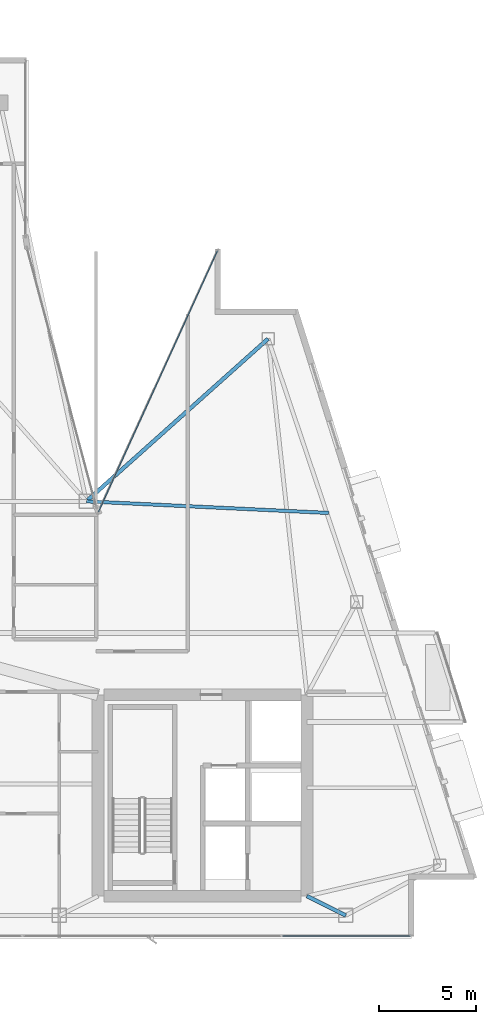
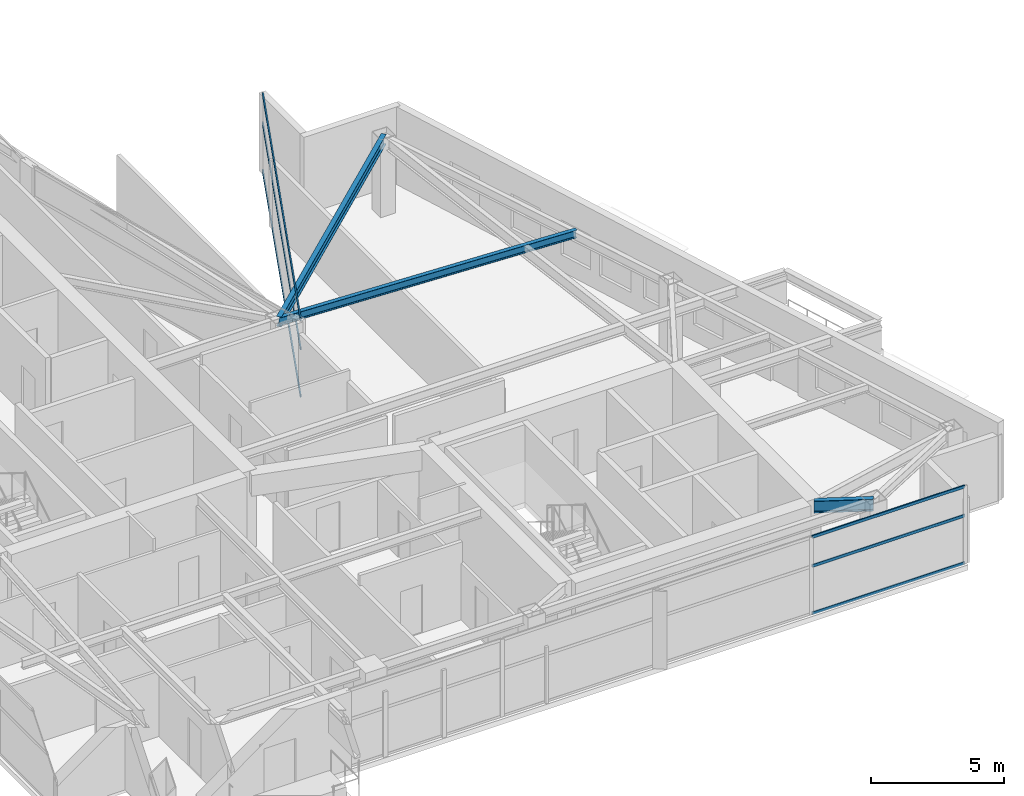
# One storey, part 13 of 27: 6 members, 3 beams, 2 elements without a shape of their own.
"""IFC4 building model written with IfcOpenShell, lengths in metres."""

from ifc_helpers import new_model, si_unit, direction, frame, origin, origin_2d, place, context, subcontext, project, spatial, hollow_rectangle, i_section, extrude, material, layer, layer_set, material_profile, profile_set, type_object, element, aggregate, save


model = new_model("IFC4")

# Units and contexts
model_context = context("Model", 3, precision=1e-05, world=origin(), true_north=direction((0.0, 1.0)))
body_context = subcontext(model_context, "Body", "Model", "MODEL_VIEW")
ifc_project = project(units=[si_unit("LENGTHUNIT", "METRE"), si_unit("AREAUNIT", "SQUARE_METRE"), si_unit("VOLUMEUNIT", "CUBIC_METRE"), si_unit("PLANEANGLEUNIT", "RADIAN"), si_unit("MASSUNIT", "GRAM", prefix="KILO")], contexts=[model_context])

# Site, building, storey
site_placement = place(None, origin())
site = spatial("IfcSite", under=ifc_project, at=site_placement, CompositionType="ELEMENT")
building_placement = place(site_placement, origin())
building = spatial("IfcBuilding", under=site, at=building_placement, Name="Calvorn Quay Hotel", CompositionType="ELEMENT")
storey_placement = place(building_placement, frame((0.0, 0.0, 294.89990234375)))
storey = spatial("IfcBuildingStorey", under=building, at=storey_placement, Name="L73", CompositionType="ELEMENT", Elevation=294.89990234375)

# Beams
ifc_material_1 = material(Name="Steel Q355B", Category="steel")
ifc_material_profile_1 = material_profile(ifc_material_1, i_section(OverallWidth=0.199951171875, OverallDepth=0.550048828125, WebThickness=0.010009765625, FlangeThickness=0.01611328125, FilletRadius=0.01806640625, at=origin_2d()), Name="HN550x200x10x16")
ifc_profile_set_1 = profile_set([ifc_material_profile_1], Name="Steel Q355B")
beam_type_1 = type_object("IfcBeamType", Name="BM-GIRD-UPP", PredefinedType="BEAM", material=ifc_profile_set_1)
beam_1_placement = place(storey_placement, frame((34.39990234375, 3.60009765625, 3.26513671875), z_axis=(-0.894427191, 0.4472135955, 0.0), x_axis=(-0.4472135955, -0.894427191, 0.0)))
element("IfcBeam", 1, at=beam_1_placement, inside=storey, type_object=beam_type_1, Name="Beam BG-L73-S3", PredefinedType="BEAM", context=body_context, shape_type="SweptSolid", body=[
    extrude(i_section(OverallWidth=0.199951171875, OverallDepth=0.550048828125, WebThickness=0.010009765625, FlangeThickness=0.01611328125, FilletRadius=0.01806640625, at=origin_2d()), origin(), (0.0, 0.0, 1.0), 2.236083984375),
])
ifc_material_2 = material(Name="Steel Q355B", Category="steel")
ifc_material_profile_2 = material_profile(ifc_material_2, i_section(OverallWidth=0.175048828125, OverallDepth=0.35009765625, WebThickness=0.007080078125, FlangeThickness=0.010986328125, FilletRadius=0.013916015625, at=origin_2d()), Name="HN350x175x7x11")
ifc_profile_set_2 = profile_set([ifc_material_profile_2], Name="Steel Q355B")
beam_type_2 = type_object("IfcBeamType", Name="BM-JOIST-SEC", PredefinedType="JOIST", material=ifc_profile_set_2)
beam_2_placement = place(storey_placement, frame((21.0, 25.0, 3.364990234375), z_axis=(0.998854576396, -0.047849087891, 0.0), x_axis=(0.047849087891, 0.998854576396, 0.0)))
element("IfcBeam", 2, at=beam_2_placement, inside=storey, type_object=beam_type_2, Name="Beam BJ-L73-E3", PredefinedType="JOIST", context=body_context, shape_type="SweptSolid", body=[
    extrude(i_section(OverallWidth=0.175048828125, OverallDepth=0.35009765625, WebThickness=0.007080078125, FlangeThickness=0.010986328125, FilletRadius=0.013916015625, at=origin_2d()), origin(), (0.0, 0.0, 1.0), 12.54150390625),
])
ifc_material_3 = material(Name="Steel Q355B", Category="steel")
ifc_material_profile_3 = material_profile(ifc_material_3, i_section(OverallWidth=0.199951171875, OverallDepth=0.449951171875, WebThickness=0.009033203125, FlangeThickness=0.013916015625, FilletRadius=0.01611328125, at=origin_2d()), Name="HN450x200x9x14")
ifc_profile_set_3 = profile_set([ifc_material_profile_3], Name="Steel Q355B")
beam_type_3 = type_object("IfcBeamType", Name="BM-SPANDREL-Z3", PredefinedType="SPANDREL", material=ifc_profile_set_3)
beam_3_placement = place(storey_placement, frame((30.39111328125, 33.39990234375, 3.315185546875), z_axis=(-0.745346713825, -0.666677040396, 0.0), x_axis=(0.666677040396, -0.745346713825, 0.0)))
element("IfcBeam", 3, at=beam_3_placement, inside=storey, type_object=beam_type_3, Name="Beam BSP-L73-E3", PredefinedType="SPANDREL", context=body_context, shape_type="SweptSolid", body=[
    extrude(i_section(OverallWidth=0.199951171875, OverallDepth=0.449951171875, WebThickness=0.009033203125, FlangeThickness=0.013916015625, FilletRadius=0.01611328125, at=origin_2d()), origin(), (0.0, 0.0, 1.0), 12.599609375),
])

# Curtain wall, members
ifc_material_4 = material(Name="Champagne Bronze Anodised Aluminium and Low-E Glass", Category="aluminium")
ifc_layer = layer(ifc_material_4, 0.219970703125)
ifc_layer_set = layer_set([ifc_layer], Name="CW-SYS-Z4")
curtain_wall_type = type_object("IfcCurtainWallType", Name="CW-SYS-Z4", PredefinedType="NOTDEFINED", material=ifc_layer_set)
curtain_wall_1_placement = place(storey_placement, origin())
curtain_wall_1 = element("IfcCurtainWall", 4, at=curtain_wall_1_placement, inside=storey, type_object=curtain_wall_type, Name="Tower South Waterfront Curtain Wall (L73)", PredefinedType="NOTDEFINED")
ifc_material_5 = material(Name="Champagne Bronze Anodised Aluminium 6063-T6", Category="aluminium")
ifc_material_profile_4 = material_profile(ifc_material_5, hollow_rectangle(XDim=0.054931640625, YDim=0.1298828125, WallThickness=0.003173828125, at=origin_2d()), Name="ALU-T130x55x3.2")
ifc_profile_set_4 = profile_set([ifc_material_profile_4], Name="Champagne Bronze Anodised Aluminium 6063-T6")
member_type = type_object("IfcMemberType", Name="CW-SYS-Z4-TRN", PredefinedType="USERDEFINED", material=ifc_profile_set_4)
member_1_placement = place(storey_placement, frame((31.1298828125, 2.550048828125, 0.030029296875), z_axis=(1.0, 0.0, 0.0), x_axis=(0.0, 1.0, 0.0)))
member_1 = element("IfcMember", 5, at=member_1_placement, type_object=member_type, Name="CW-L73-S transom 4.1", ObjectType="TRANSOM", PredefinedType="USERDEFINED", context=body_context, shape_type="SweptSolid", body=[
    extrude(hollow_rectangle(XDim=0.054931640625, YDim=0.1298828125, WallThickness=0.003173828125, at=origin_2d()), origin(), (0.0, 0.0, 1.0), 6.610107421875),
])
member_2_placement = place(storey_placement, frame((31.1298828125, 2.550048828125, 2.2001953125), z_axis=(1.0, 0.0, 0.0), x_axis=(0.0, 1.0, 0.0)))
member_2 = element("IfcMember", 6, at=member_2_placement, type_object=member_type, Name="CW-L73-S transom 4.2", ObjectType="TRANSOM", PredefinedType="USERDEFINED", context=body_context, shape_type="SweptSolid", body=[
    extrude(hollow_rectangle(XDim=0.054931640625, YDim=0.1298828125, WallThickness=0.003173828125, at=origin_2d()), origin(), (0.0, 0.0, 1.0), 6.610107421875),
])
member_3_placement = place(storey_placement, frame((31.1298828125, 2.550048828125, 3.530029296875), z_axis=(1.0, 0.0, 0.0), x_axis=(0.0, 1.0, 0.0)))
member_3 = element("IfcMember", 7, at=member_3_placement, type_object=member_type, Name="CW-L73-S transom 4.3", ObjectType="TRANSOM", PredefinedType="USERDEFINED", context=body_context, shape_type="SweptSolid", body=[
    extrude(hollow_rectangle(XDim=0.054931640625, YDim=0.1298828125, WallThickness=0.003173828125, at=origin_2d()), origin(), (0.0, 0.0, 1.0), 6.610107421875),
])
aggregate(curtain_wall_1, [member_1, member_2, member_3])

curtain_wall_2_placement = place(storey_placement, origin())
curtain_wall_2 = element("IfcCurtainWall", 8, at=curtain_wall_2_placement, inside=storey, type_object=curtain_wall_type, Name="Inner Court Curtain Wall L73-NE1", PredefinedType="NOTDEFINED")
member_4_placement = place(storey_placement, frame((27.775146484375, 37.9453125, 0.030029296875), z_axis=(-0.414808842845, -0.909908579967, 0.0), x_axis=(0.909908579967, -0.414808842845, 0.0)))
member_4 = element("IfcMember", 9, at=member_4_placement, type_object=member_type, Name="CW-L73-NE1 transom 1.1", ObjectType="TRANSOM", PredefinedType="USERDEFINED", context=body_context, shape_type="SweptSolid", body=[
    extrude(hollow_rectangle(XDim=0.054931640625, YDim=0.1298828125, WallThickness=0.003173828125, at=origin_2d()), origin(), (0.0, 0.0, 1.0), 14.826416015625),
])
member_5_placement = place(storey_placement, frame((27.775146484375, 37.9453125, 2.2001953125), z_axis=(-0.414808842845, -0.909908579967, 0.0), x_axis=(0.909908579967, -0.414808842845, 0.0)))
member_5 = element("IfcMember", 10, at=member_5_placement, type_object=member_type, Name="CW-L73-NE1 transom 1.2", ObjectType="TRANSOM", PredefinedType="USERDEFINED", context=body_context, shape_type="SweptSolid", body=[
    extrude(hollow_rectangle(XDim=0.054931640625, YDim=0.1298828125, WallThickness=0.003173828125, at=origin_2d()), origin(), (0.0, 0.0, 1.0), 14.826416015625),
])
member_6_placement = place(storey_placement, frame((27.775146484375, 37.9453125, 3.530029296875), z_axis=(-0.414808842845, -0.909908579967, 0.0), x_axis=(0.909908579967, -0.414808842845, 0.0)))
member_6 = element("IfcMember", 11, at=member_6_placement, type_object=member_type, Name="CW-L73-NE1 transom 1.3", ObjectType="TRANSOM", PredefinedType="USERDEFINED", context=body_context, shape_type="SweptSolid", body=[
    extrude(hollow_rectangle(XDim=0.054931640625, YDim=0.1298828125, WallThickness=0.003173828125, at=origin_2d()), origin(), (0.0, 0.0, 1.0), 14.826416015625),
])
aggregate(curtain_wall_2, [member_4, member_5, member_6])

save(model, "model.ifc")
